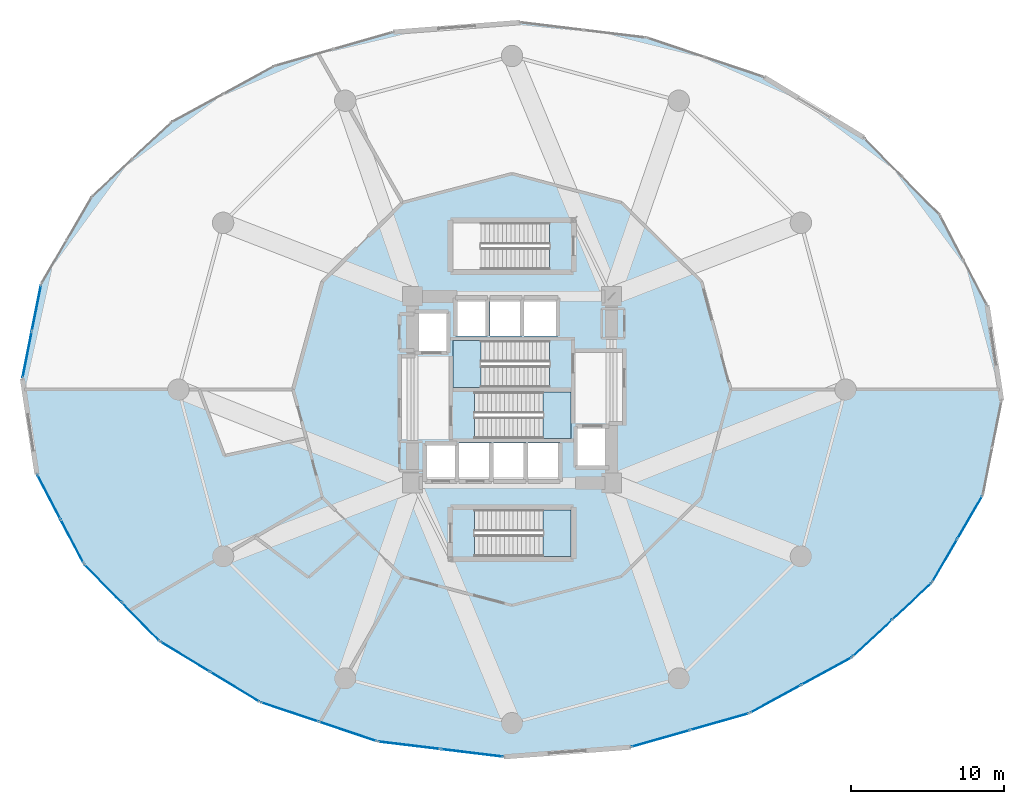
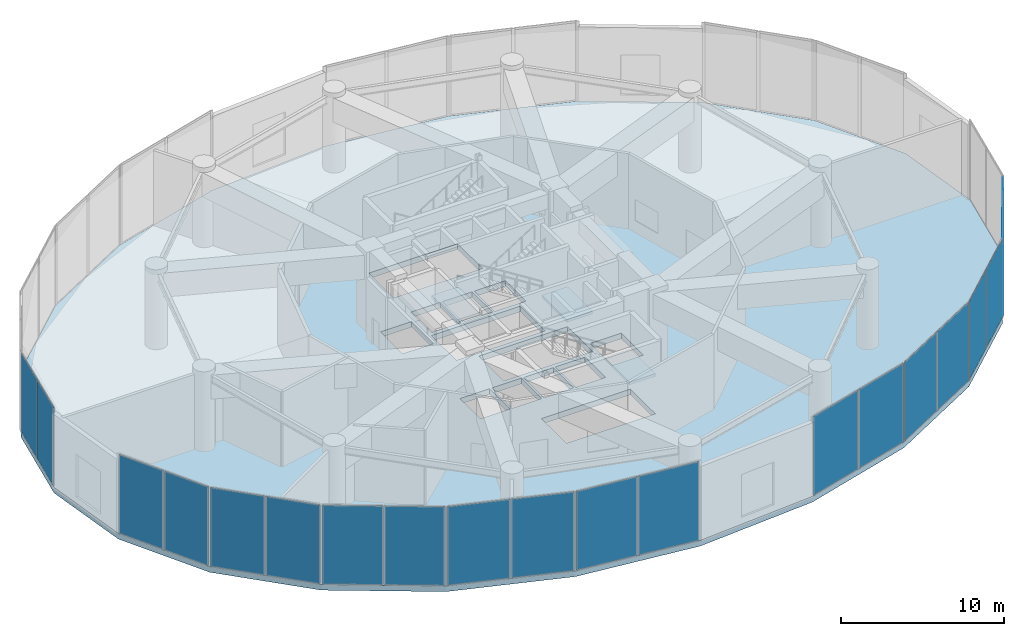
# One storey, part 20 of 28: 20 plates, 4 slabs, 13 elements without a shape of their own.
"""IFC4 building model written with IfcOpenShell, lengths in metres."""

from ifc_helpers import new_model, si_unit, direction, frame, origin, origin_2d, place, context, subcontext, project, spatial, polyline, rectangle, outline, extrude, source, transform, mapped, material, layer, layer_set, type_object, element, aggregate, save


model = new_model("IFC4")

# Units and contexts
model_context = context("Model", 3, precision=1e-05, world=origin(), true_north=direction((0.0, 1.0)))
body_context = subcontext(model_context, "Body", "Model", "MODEL_VIEW")
ifc_project = project(units=[si_unit("LENGTHUNIT", "METRE"), si_unit("AREAUNIT", "SQUARE_METRE"), si_unit("VOLUMEUNIT", "CUBIC_METRE"), si_unit("PLANEANGLEUNIT", "RADIAN"), si_unit("MASSUNIT", "GRAM", prefix="KILO")], contexts=[model_context])

# Site, building, storey
site_placement = place(None, origin())
site = spatial("IfcSite", under=ifc_project, at=site_placement, CompositionType="ELEMENT")
building_placement = place(site_placement, origin())
building = spatial("IfcBuilding", under=site, at=building_placement, Name="Solvirekh Grand Hotel", CompositionType="ELEMENT")
storey_placement = place(building_placement, frame((0.0, 0.0, 12.60009765625)))
storey = spatial("IfcBuildingStorey", under=building, at=storey_placement, Name="L02", CompositionType="ELEMENT", Elevation=12.60009765625)

# Stair, slab
ifc_material_1 = material(Name="Concrete C40/50", Category="concrete")
stair_type_1 = type_object("IfcStairType", Name="Stair_Pod_1600", PredefinedType="HALF_TURN_STAIR", material=ifc_material_1)
stair_1_placement = place(storey_placement, origin())
stair_1 = element("IfcStair", 1, at=stair_1_placement, inside=storey, type_object=stair_type_1, Name="L02 Enclosed exit stair ST-3", PredefinedType="HALF_TURN_STAIR")
ifc_layer_1 = layer(ifc_material_1, 0.219970703125)
ifc_layer_set_1 = layer_set([ifc_layer_1], Name="Concrete C40/50")
slab_type_1 = type_object("IfcSlabType", Name="Landing_PodStair_220", PredefinedType="LANDING", material=ifc_layer_set_1)
slab_1_placement = place(storey_placement, frame((0.0, 0.0, 2.7998046875)))
slab_1 = element("IfcSlab", 2, at=slab_1_placement, type_object=slab_type_1, Name="ST-3 landing 1", PredefinedType="LANDING", context=body_context, shape_type="SweptSolid", body=[
    extrude(outline(polyline([(2.030029296875, -10.89990234375), (3.85009765625, -10.89990234375), (3.85009765625, -7.85009765625), (2.030029296875, -7.85009765625), (2.030029296875, -10.89990234375)])), origin(), (0.0, 0.0, 1.0), 0.2001953125),
])
aggregate(stair_1, [slab_1])

stair_type_2 = type_object("IfcStairType", Name="Stair_Core_1450", PredefinedType="HALF_TURN_STAIR", material=ifc_material_1)
stair_2_placement = place(storey_placement, origin())
stair_2 = element("IfcStair", 3, at=stair_2_placement, inside=storey, type_object=stair_type_2, Name="L02 Enclosed exit stair ST-1", PredefinedType="HALF_TURN_STAIR")
ifc_layer_2 = layer(ifc_material_1, 0.199951171875)
ifc_layer_set_2 = layer_set([ifc_layer_2], Name="Concrete C40/50")
slab_type_2 = type_object("IfcSlabType", Name="Landing_Stair_200", PredefinedType="LANDING", material=ifc_layer_set_2)
slab_2_placement = place(storey_placement, frame((0.0, 0.0, 2.7998046875)))
slab_2 = element("IfcSlab", 4, at=slab_2_placement, type_object=slab_type_2, Name="ST-1 landing 1", PredefinedType="LANDING", context=body_context, shape_type="SweptSolid", body=[
    extrude(outline(polyline([(2.030029296875, -3.199951171875), (3.85009765625, -3.199951171875), (3.85009765625, -0.14990234375), (2.030029296875, -0.14990234375), (2.030029296875, -3.199951171875)])), origin(), (0.0, 0.0, 1.0), 0.2001953125),
])
aggregate(stair_2, [slab_2])

stair_3_placement = place(storey_placement, origin())
stair_3 = element("IfcStair", 5, at=stair_3_placement, inside=storey, type_object=stair_type_2, Name="L02 Enclosed exit stair ST-2", PredefinedType="HALF_TURN_STAIR")
slab_3_placement = place(storey_placement, frame((0.0, 0.0, 2.7998046875)))
slab_3 = element("IfcSlab", 6, at=slab_3_placement, type_object=slab_type_2, Name="ST-2 landing 1", PredefinedType="LANDING", context=body_context, shape_type="SweptSolid", body=[
    extrude(outline(polyline([(-2.030029296875, 3.199951171875), (-3.85009765625, 3.199951171875), (-3.85009765625, 0.14990234375), (-2.030029296875, 0.14990234375), (-2.030029296875, 3.199951171875)])), origin(), (0.0, 0.0, 1.0), 0.2001953125),
])
aggregate(stair_3, [slab_3])

# Slab
ifc_material_2 = material(Name="Concrete C50/60", Category="concrete")
ifc_layer_3 = layer(ifc_material_2, 0.419921875)
ifc_layer_set_3 = layer_set([ifc_layer_3], Name="Concrete C50/60")
slab_type_3 = type_object("IfcSlabType", Name="Slab_Ballroom_420", PredefinedType="FLOOR", material=ifc_layer_set_3)
slab_4_placement = place(storey_placement, frame((0.0, 0.0, -0.420166015625)))
element("IfcSlab", 7, at=slab_4_placement, inside=storey, type_object=slab_type_3, Name="L02 structural floor slab", PredefinedType="FLOOR", context=body_context, shape_type="SweptSolid", body=[
    extrude(outline(polyline([(31.991943359375, -0.715087890625), (31.041015625, 5.52001953125), (27.97412109375, 11.3779296875), (23.0009765625, 16.4609375), (16.4599609375, 20.422119140625), (8.798095703125, 22.990966796875), (0.535888671875, 23.993896484375), (-7.761962890625, 23.361083984375), (-15.531982421875, 21.136962890625), (-22.242919921875, 17.471923828125), (-27.43798828125, 12.615966796875), (-30.762939453125, 6.90087890625), (-31.991943359375, 0.715087890625), (-31.041015625, -5.52001953125), (-27.97412109375, -11.3779296875), (-23.0009765625, -16.4609375), (-16.4599609375, -20.422119140625), (-8.798095703125, -22.990966796875), (-0.535888671875, -23.993896484375), (7.761962890625, -23.361083984375), (15.531982421875, -21.136962890625), (22.242919921875, -17.471923828125), (27.43798828125, -12.615966796875), (30.762939453125, -6.90087890625), (31.991943359375, -0.715087890625)]), holes=[polyline([(-2.444091796875, -0.14990234375), (3.85009765625, -0.14990234375), (3.85009765625, -3.199951171875), (-2.444091796875, -3.199951171875), (-2.444091796875, -0.14990234375)]), polyline([(2.444091796875, 0.14990234375), (-3.85009765625, 0.14990234375), (-3.85009765625, 3.199951171875), (2.444091796875, 3.199951171875), (2.444091796875, 0.14990234375)]), polyline([(-2.444091796875, -7.85009765625), (3.85009765625, -7.85009765625), (3.85009765625, -10.89990234375), (-2.444091796875, -10.89990234375), (-2.444091796875, -7.85009765625)]), polyline([(2.444091796875, 7.85009765625), (-3.85009765625, 7.85009765625), (-3.85009765625, 10.89990234375), (2.444091796875, 10.89990234375), (2.444091796875, 7.85009765625)]), polyline([(-5.699951171875, -3.5), (-3.60009765625, -3.5), (-3.60009765625, -6.0), (-5.699951171875, -6.0), (-5.699951171875, -3.5)]), polyline([(-3.449951171875, -3.5), (-1.35009765625, -3.5), (-1.35009765625, -6.0), (-3.449951171875, -6.0), (-3.449951171875, -3.5)]), polyline([(-1.199951171875, -3.5), (0.89990234375, -3.5), (0.89990234375, -6.0), (-1.199951171875, -6.0), (-1.199951171875, -3.5)]), polyline([(1.050048828125, -3.5), (3.14990234375, -3.5), (3.14990234375, -6.0), (1.050048828125, -6.0), (1.050048828125, -3.5)]), polyline([(-3.699951171875, 6.0), (-1.60009765625, 6.0), (-1.60009765625, 3.5), (-3.699951171875, 3.5), (-3.699951171875, 6.0)]), polyline([(-1.449951171875, 6.0), (0.64990234375, 6.0), (0.64990234375, 3.5), (-1.449951171875, 3.5), (-1.449951171875, 6.0)]), polyline([(0.800048828125, 6.0), (3.0, 6.0), (3.0, 3.5), (0.800048828125, 3.5), (0.800048828125, 6.0)]), polyline([(-6.35009765625, 5.10009765625), (-4.14990234375, 5.10009765625), (-4.14990234375, 2.39990234375), (-6.35009765625, 2.39990234375), (-6.35009765625, 5.10009765625)]), polyline([(4.14990234375, -2.39990234375), (6.35009765625, -2.39990234375), (6.35009765625, -5.10009765625), (4.14990234375, -5.10009765625), (4.14990234375, -2.39990234375)])]), origin(), (0.0, 0.0, 1.0), 0.420166015625),
])

# Curtain wall, plates
ifc_material_3 = material(Name="Anodized Bronze Aluminium 6063-T6", Category="aluminium")
ifc_layer_4 = layer(ifc_material_3, 0.219970703125)
ifc_layer_set_4 = layer_set([ifc_layer_4], Name="Anodized Bronze Aluminium 6063-T6")
curtain_wall_type = type_object("IfcCurtainWallType", Name="CW_Sys1_PodiumBronzeUnitised", PredefinedType="NOTDEFINED", material=ifc_layer_set_4)
curtain_wall_1_placement = place(storey_placement, origin())
curtain_wall_1 = element("IfcCurtainWall", 8, at=curtain_wall_1_placement, inside=storey, type_object=curtain_wall_type, Name="L02 unitised bronze-glass curtain wall CW-L02-C14", PredefinedType="NOTDEFINED")
ifc_material_4 = material(Name="Low-E Tinted Bronze Laminated Glass", Category="aluminium")
ifc_layer_5 = layer(ifc_material_4, 0.0439453125)
ifc_layer_set_5 = layer_set([ifc_layer_5], Name="Low-E Tinted Bronze Laminated Glass")
plate_type = type_object("IfcPlateType", Name="CWPanel_Podium_44", PredefinedType="CURTAIN_PANEL", material=ifc_layer_set_5)
shared_shape_1 = source(origin(), body_context, "Body", "SweptSolid", [
    extrude(rectangle(XDim=3.193603515625, YDim=0.0439453125, at=origin_2d()), origin(), (0.0, 0.0, 1.0), 5.8701171875),
])
plate_1_placement = place(storey_placement, frame((-30.265625, -7.001220703125, 0.06494140625), z_axis=(0.0, 0.0, 1.0), x_axis=(0.463831802821, -0.885923280364, 0.0)))
plate_1 = element("IfcPlate", 9, at=plate_1_placement, type_object=plate_type, Name="U01 panel 1.1", PredefinedType="CURTAIN_PANEL", context=body_context, shape_type="MappedRepresentation", body=[
    mapped(shared_shape_1, transform((0.0, 0.0, 0.0), x_axis=(1.0, 0.0, 0.0), y_axis=(0.0, 1.0, 0.0), z_axis=(0.0, 0.0, 1.0), scale=1.0)),
])
plate_2_placement = place(storey_placement, frame((-28.74951171875, -9.89697265625, 0.06494140625), z_axis=(0.0, 0.0, 1.0), x_axis=(0.463831802821, -0.885923280364, 0.0)))
plate_2 = element("IfcPlate", 10, at=plate_2_placement, type_object=plate_type, Name="U01 panel 2.1", PredefinedType="CURTAIN_PANEL", context=body_context, shape_type="MappedRepresentation", body=[
    mapped(shared_shape_1, transform((0.0, 0.0, 0.0), x_axis=(1.0, 0.0, 0.0), y_axis=(0.0, 1.0, 0.0), z_axis=(0.0, 0.0, 1.0), scale=1.0)),
])
aggregate(curtain_wall_1, [plate_1, plate_2])

curtain_wall_2_placement = place(storey_placement, origin())
curtain_wall_2 = element("IfcCurtainWall", 11, at=curtain_wall_2_placement, inside=storey, type_object=curtain_wall_type, Name="L02 unitised bronze-glass curtain wall CW-L02-C15", PredefinedType="NOTDEFINED")
shared_shape_2 = source(origin(), body_context, "Body", "SweptSolid", [
    extrude(rectangle(XDim=3.443115234375, YDim=0.0439453125, at=origin_2d()), origin(), (0.0, 0.0, 1.0), 5.8701171875),
])
plate_3_placement = place(storey_placement, frame((-26.717529296875, -12.662109375, 0.06494140625), z_axis=(0.0, 0.0, 1.0), x_axis=(0.699330083505, -0.714798876821, 0.0)))
plate_3 = element("IfcPlate", 12, at=plate_3_placement, type_object=plate_type, Name="U01 panel 1.1", PredefinedType="CURTAIN_PANEL", context=body_context, shape_type="MappedRepresentation", body=[
    mapped(shared_shape_2, transform((0.0, 0.0, 0.0), x_axis=(1.0, 0.0, 0.0), y_axis=(0.0, 1.0, 0.0), z_axis=(0.0, 0.0, 1.0), scale=1.0)),
])
plate_4_placement = place(storey_placement, frame((-24.25732421875, -15.1767578125, 0.06494140625), z_axis=(0.0, 0.0, 1.0), x_axis=(0.699330083505, -0.714798876821, 0.0)))
plate_4 = element("IfcPlate", 13, at=plate_4_placement, type_object=plate_type, Name="U01 panel 2.1", PredefinedType="CURTAIN_PANEL", context=body_context, shape_type="MappedRepresentation", body=[
    mapped(shared_shape_2, transform((0.0, 0.0, 0.0), x_axis=(1.0, 0.0, 0.0), y_axis=(0.0, 1.0, 0.0), z_axis=(0.0, 0.0, 1.0), scale=1.0)),
])
aggregate(curtain_wall_2, [plate_3, plate_4])

curtain_wall_3_placement = place(storey_placement, origin())
curtain_wall_3 = element("IfcCurtainWall", 14, at=curtain_wall_3_placement, inside=storey, type_object=curtain_wall_type, Name="L02 unitised bronze-glass curtain wall CW-L02-C22", PredefinedType="NOTDEFINED")
plate_5_placement = place(storey_placement, frame((23.555419921875, -16.2451171875, 0.06494140625), z_axis=(0.0, 0.0, 1.0), x_axis=(0.730540664627, 0.682869194888, 0.0)))
plate_5 = element("IfcPlate", 15, at=plate_5_placement, type_object=plate_type, Name="U01 panel 1.1", PredefinedType="CURTAIN_PANEL", context=body_context, shape_type="MappedRepresentation", body=[
    mapped(shared_shape_2, transform((0.0, 0.0, 0.0), x_axis=(1.0, 0.0, 0.0), y_axis=(0.0, 1.0, 0.0), z_axis=(0.0, 0.0, 1.0), scale=1.0)),
])
plate_6_placement = place(storey_placement, frame((26.12548828125, -13.8427734375, 0.06494140625), z_axis=(0.0, 0.0, 1.0), x_axis=(0.730540664627, 0.682869194888, 0.0)))
plate_6 = element("IfcPlate", 16, at=plate_6_placement, type_object=plate_type, Name="U01 panel 2.1", PredefinedType="CURTAIN_PANEL", context=body_context, shape_type="MappedRepresentation", body=[
    mapped(shared_shape_2, transform((0.0, 0.0, 0.0), x_axis=(1.0, 0.0, 0.0), y_axis=(0.0, 1.0, 0.0), z_axis=(0.0, 0.0, 1.0), scale=1.0)),
])
aggregate(curtain_wall_3, [plate_5, plate_6])

curtain_wall_4_placement = place(storey_placement, origin())
curtain_wall_4 = element("IfcCurtainWall", 17, at=curtain_wall_4_placement, inside=storey, type_object=curtain_wall_type, Name="L02 unitised bronze-glass curtain wall CW-L02-C17", PredefinedType="NOTDEFINED")
shared_shape_3 = source(origin(), body_context, "Body", "SweptSolid", [
    extrude(rectangle(XDim=3.92822265625, YDim=0.0439453125, at=origin_2d()), origin(), (0.0, 0.0, 1.0), 5.8701171875),
])
plate_7_placement = place(storey_placement, frame((-14.526611328125, -21.0703125, 0.06494140625), z_axis=(0.0, 0.0, 1.0), x_axis=(0.948124980128, -0.317897817007, 0.0)))
plate_7 = element("IfcPlate", 18, at=plate_7_placement, type_object=plate_type, Name="U01 panel 1.1", PredefinedType="CURTAIN_PANEL", context=body_context, shape_type="MappedRepresentation", body=[
    mapped(shared_shape_3, transform((0.0, 0.0, 0.0), x_axis=(1.0, 0.0, 0.0), y_axis=(0.0, 1.0, 0.0), z_axis=(0.0, 0.0, 1.0), scale=1.0)),
])
plate_8_placement = place(storey_placement, frame((-10.731201171875, -22.3427734375, 0.06494140625), z_axis=(0.0, 0.0, 1.0), x_axis=(0.948124980128, -0.317897817007, 0.0)))
plate_8 = element("IfcPlate", 19, at=plate_8_placement, type_object=plate_type, Name="U01 panel 2.1", PredefinedType="CURTAIN_PANEL", context=body_context, shape_type="MappedRepresentation", body=[
    mapped(shared_shape_3, transform((0.0, 0.0, 0.0), x_axis=(1.0, 0.0, 0.0), y_axis=(0.0, 1.0, 0.0), z_axis=(0.0, 0.0, 1.0), scale=1.0)),
])
aggregate(curtain_wall_4, [plate_7, plate_8])

curtain_wall_5_placement = place(storey_placement, origin())
curtain_wall_5 = element("IfcCurtainWall", 20, at=curtain_wall_5_placement, inside=storey, type_object=curtain_wall_type, Name="L02 unitised bronze-glass curtain wall CW-L02-C18", PredefinedType="NOTDEFINED")
shared_shape_4 = source(origin(), body_context, "Body", "SweptSolid", [
    extrude(rectangle(XDim=4.048828125, YDim=0.0439453125, at=origin_2d()), origin(), (0.0, 0.0, 1.0), 5.8701171875),
])
plate_9_placement = place(storey_placement, frame((-6.7138671875, -23.243896484375, 0.06494140625), z_axis=(0.0, 0.0, 1.0), x_axis=(0.992711582906, -0.12051436912, 0.0)))
plate_9 = element("IfcPlate", 21, at=plate_9_placement, type_object=plate_type, Name="U01 panel 1.1", PredefinedType="CURTAIN_PANEL", context=body_context, shape_type="MappedRepresentation", body=[
    mapped(shared_shape_4, transform((0.0, 0.0, 0.0), x_axis=(1.0, 0.0, 0.0), y_axis=(0.0, 1.0, 0.0), z_axis=(0.0, 0.0, 1.0), scale=1.0)),
])
plate_10_placement = place(storey_placement, frame((-2.6201171875, -23.740966796875, 0.06494140625), z_axis=(0.0, 0.0, 1.0), x_axis=(0.992711582906, -0.12051436912, 0.0)))
plate_10 = element("IfcPlate", 22, at=plate_10_placement, type_object=plate_type, Name="U01 panel 2.1", PredefinedType="CURTAIN_PANEL", context=body_context, shape_type="MappedRepresentation", body=[
    mapped(shared_shape_4, transform((0.0, 0.0, 0.0), x_axis=(1.0, 0.0, 0.0), y_axis=(0.0, 1.0, 0.0), z_axis=(0.0, 0.0, 1.0), scale=1.0)),
])
aggregate(curtain_wall_5, [plate_9, plate_10])

curtain_wall_6_placement = place(storey_placement, origin())
curtain_wall_6 = element("IfcCurtainWall", 23, at=curtain_wall_6_placement, inside=storey, type_object=curtain_wall_type, Name="L02 unitised bronze-glass curtain wall CW-L02-C20", PredefinedType="NOTDEFINED")
shared_shape_5 = source(origin(), body_context, "Body", "SweptSolid", [
    extrude(rectangle(XDim=3.928466796875, YDim=0.0439453125, at=origin_2d()), origin(), (0.0, 0.0, 1.0), 5.8701171875),
])
plate_11_placement = place(storey_placement, frame((9.722412109375, -22.7998046875, 0.06494140625), z_axis=(0.0, 0.0, 1.0), x_axis=(0.961393103686, 0.275178669567, 0.0)))
plate_11 = element("IfcPlate", 24, at=plate_11_placement, type_object=plate_type, Name="U01 panel 1.1", PredefinedType="CURTAIN_PANEL", context=body_context, shape_type="MappedRepresentation", body=[
    mapped(shared_shape_5, transform((0.0, 0.0, 0.0), x_axis=(1.0, 0.0, 0.0), y_axis=(0.0, 1.0, 0.0), z_axis=(0.0, 0.0, 1.0), scale=1.0)),
])
plate_12_placement = place(storey_placement, frame((13.571533203125, -21.6982421875, 0.06494140625), z_axis=(0.0, 0.0, 1.0), x_axis=(0.961393103686, 0.275178669567, 0.0)))
plate_12 = element("IfcPlate", 25, at=plate_12_placement, type_object=plate_type, Name="U01 panel 2.1", PredefinedType="CURTAIN_PANEL", context=body_context, shape_type="MappedRepresentation", body=[
    mapped(shared_shape_5, transform((0.0, 0.0, 0.0), x_axis=(1.0, 0.0, 0.0), y_axis=(0.0, 1.0, 0.0), z_axis=(0.0, 0.0, 1.0), scale=1.0)),
])
aggregate(curtain_wall_6, [plate_11, plate_12])

curtain_wall_7_placement = place(storey_placement, origin())
curtain_wall_7 = element("IfcCurtainWall", 26, at=curtain_wall_7_placement, inside=storey, type_object=curtain_wall_type, Name="L02 unitised bronze-glass curtain wall CW-L02-C21", PredefinedType="NOTDEFINED")
shared_shape_6 = source(origin(), body_context, "Body", "SweptSolid", [
    extrude(rectangle(XDim=3.710693359375, YDim=0.0439453125, at=origin_2d()), origin(), (0.0, 0.0, 1.0), 5.8701171875),
])
plate_13_placement = place(storey_placement, frame((17.226318359375, -20.211669921875, 0.06494140625), z_axis=(0.0, 0.0, 1.0), x_axis=(0.877650561893, 0.479301044448, 0.0)))
plate_13 = element("IfcPlate", 27, at=plate_13_placement, type_object=plate_type, Name="U01 panel 1.1", PredefinedType="CURTAIN_PANEL", context=body_context, shape_type="MappedRepresentation", body=[
    mapped(shared_shape_6, transform((0.0, 0.0, 0.0), x_axis=(1.0, 0.0, 0.0), y_axis=(0.0, 1.0, 0.0), z_axis=(0.0, 0.0, 1.0), scale=1.0)),
])
plate_14_placement = place(storey_placement, frame((20.548828125, -18.397216796875, 0.06494140625), z_axis=(0.0, 0.0, 1.0), x_axis=(0.877650561893, 0.479301044448, 0.0)))
plate_14 = element("IfcPlate", 28, at=plate_14_placement, type_object=plate_type, Name="U01 panel 2.1", PredefinedType="CURTAIN_PANEL", context=body_context, shape_type="MappedRepresentation", body=[
    mapped(shared_shape_6, transform((0.0, 0.0, 0.0), x_axis=(1.0, 0.0, 0.0), y_axis=(0.0, 1.0, 0.0), z_axis=(0.0, 0.0, 1.0), scale=1.0)),
])
aggregate(curtain_wall_7, [plate_13, plate_14])

curtain_wall_8_placement = place(storey_placement, origin())
curtain_wall_8 = element("IfcCurtainWall", 29, at=curtain_wall_8_placement, inside=storey, type_object=curtain_wall_type, Name="L02 unitised bronze-glass curtain wall CW-L02-C23", PredefinedType="NOTDEFINED")
shared_shape_7 = source(origin(), body_context, "Body", "SweptSolid", [
    extrude(rectangle(XDim=3.193359375, YDim=0.0439453125, at=origin_2d()), origin(), (0.0, 0.0, 1.0), 5.8701171875),
])
plate_15_placement = place(storey_placement, frame((28.278564453125, -11.171142578125, 0.06494140625), z_axis=(0.0, 0.0, 1.0), x_axis=(0.502883306143, 0.864354314158, 0.0)))
plate_15 = element("IfcPlate", 30, at=plate_15_placement, type_object=plate_type, Name="U01 panel 1.1", PredefinedType="CURTAIN_PANEL", context=body_context, shape_type="MappedRepresentation", body=[
    mapped(shared_shape_7, transform((0.0, 0.0, 0.0), x_axis=(1.0, 0.0, 0.0), y_axis=(0.0, 1.0, 0.0), z_axis=(0.0, 0.0, 1.0), scale=1.0)),
])
plate_16_placement = place(storey_placement, frame((29.92236328125, -8.345947265625, 0.06494140625), z_axis=(0.0, 0.0, 1.0), x_axis=(0.502883306143, 0.864354314158, 0.0)))
plate_16 = element("IfcPlate", 31, at=plate_16_placement, type_object=plate_type, Name="U01 panel 2.1", PredefinedType="CURTAIN_PANEL", context=body_context, shape_type="MappedRepresentation", body=[
    mapped(shared_shape_7, transform((0.0, 0.0, 0.0), x_axis=(1.0, 0.0, 0.0), y_axis=(0.0, 1.0, 0.0), z_axis=(0.0, 0.0, 1.0), scale=1.0)),
])
aggregate(curtain_wall_8, [plate_15, plate_16])

curtain_wall_9_placement = place(storey_placement, origin())
curtain_wall_9 = element("IfcCurtainWall", 32, at=curtain_wall_9_placement, inside=storey, type_object=curtain_wall_type, Name="L02 unitised bronze-glass curtain wall CW-L02-C12", PredefinedType="NOTDEFINED")
shared_shape_8 = source(origin(), body_context, "Body", "SweptSolid", [
    extrude(rectangle(XDim=3.041015625, YDim=0.0439453125, at=origin_2d()), origin(), (0.0, 0.0, 1.0), 5.8701171875),
])
plate_17_placement = place(storey_placement, frame((-31.073974609375, 5.336181640625, 0.06494140625), z_axis=(0.0, 0.0, 1.0), x_axis=(-0.194865819503, -0.98082991002, 0.0)))
plate_17 = element("IfcPlate", 33, at=plate_17_placement, type_object=plate_type, Name="U01 panel 1.1", PredefinedType="CURTAIN_PANEL", context=body_context, shape_type="MappedRepresentation", body=[
    mapped(shared_shape_8, transform((0.0, 0.0, 0.0), x_axis=(1.0, 0.0, 0.0), y_axis=(0.0, 1.0, 0.0), z_axis=(0.0, 0.0, 1.0), scale=1.0)),
])
plate_18_placement = place(storey_placement, frame((-31.68115234375, 2.27978515625, 0.06494140625), z_axis=(0.0, 0.0, 1.0), x_axis=(-0.194865819503, -0.98082991002, 0.0)))
plate_18 = element("IfcPlate", 34, at=plate_18_placement, type_object=plate_type, Name="U01 panel 2.1", PredefinedType="CURTAIN_PANEL", context=body_context, shape_type="MappedRepresentation", body=[
    mapped(shared_shape_8, transform((0.0, 0.0, 0.0), x_axis=(1.0, 0.0, 0.0), y_axis=(0.0, 1.0, 0.0), z_axis=(0.0, 0.0, 1.0), scale=1.0)),
])
aggregate(curtain_wall_9, [plate_17, plate_18])

curtain_wall_10_placement = place(storey_placement, origin())
curtain_wall_10 = element("IfcCurtainWall", 35, at=curtain_wall_10_placement, inside=storey, type_object=curtain_wall_type, Name="L02 unitised bronze-glass curtain wall CW-L02-C16", PredefinedType="NOTDEFINED")
shared_shape_9 = source(origin(), body_context, "Body", "SweptSolid", [
    extrude(rectangle(XDim=3.7109375, YDim=0.0439453125, at=origin_2d()), origin(), (0.0, 0.0, 1.0), 5.8701171875),
])
plate_19_placement = place(storey_placement, frame((-21.349609375, -17.4609375, 0.06494140625), z_axis=(0.0, 0.0, 1.0), x_axis=(0.855385722984, -0.517991568383, 0.0)))
plate_19 = element("IfcPlate", 36, at=plate_19_placement, type_object=plate_type, Name="U01 panel 1.1", PredefinedType="CURTAIN_PANEL", context=body_context, shape_type="MappedRepresentation", body=[
    mapped(shared_shape_9, transform((0.0, 0.0, 0.0), x_axis=(1.0, 0.0, 0.0), y_axis=(0.0, 1.0, 0.0), z_axis=(0.0, 0.0, 1.0), scale=1.0)),
])
plate_20_placement = place(storey_placement, frame((-18.111328125, -19.422119140625, 0.06494140625), z_axis=(0.0, 0.0, 1.0), x_axis=(0.855385722984, -0.517991568383, 0.0)))
plate_20 = element("IfcPlate", 37, at=plate_20_placement, type_object=plate_type, Name="U01 panel 2.1", PredefinedType="CURTAIN_PANEL", context=body_context, shape_type="MappedRepresentation", body=[
    mapped(shared_shape_9, transform((0.0, 0.0, 0.0), x_axis=(1.0, 0.0, 0.0), y_axis=(0.0, 1.0, 0.0), z_axis=(0.0, 0.0, 1.0), scale=1.0)),
])
aggregate(curtain_wall_10, [plate_19, plate_20])

save(model, "model.ifc")
